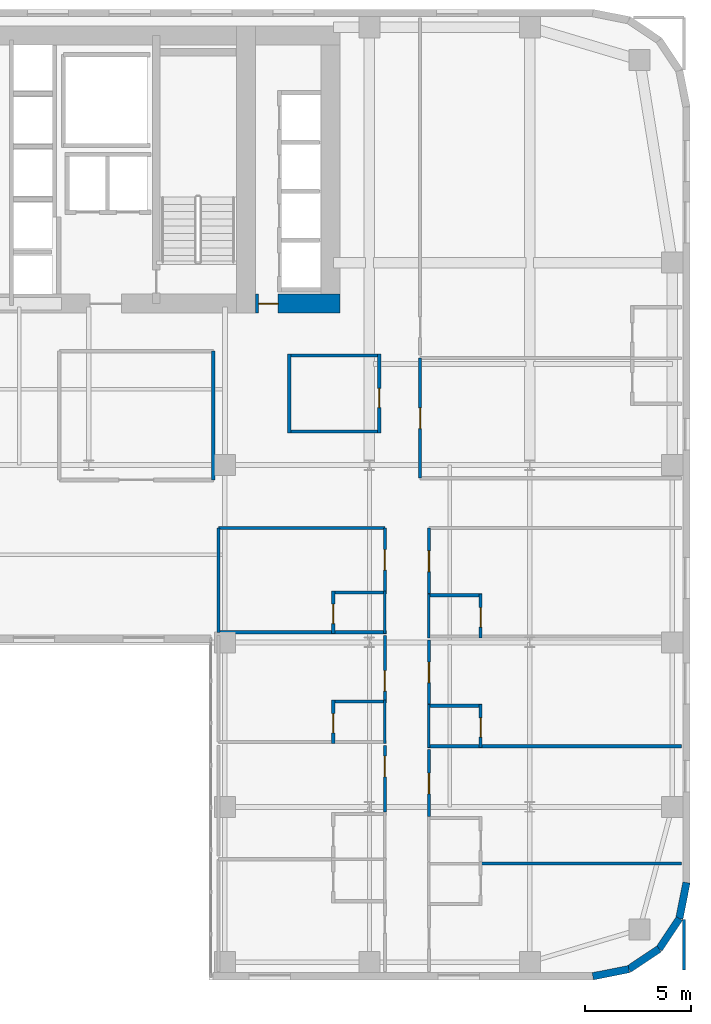
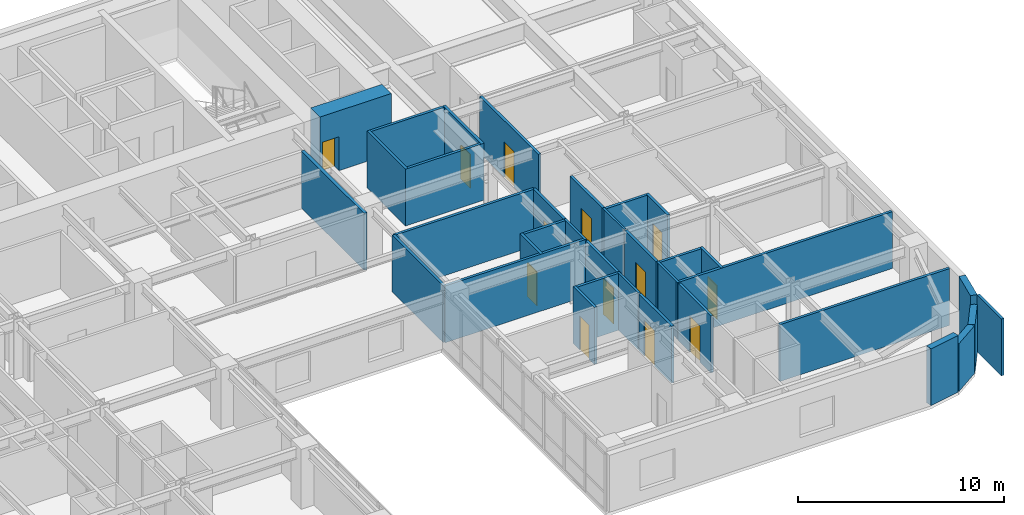
# One storey, part 26 of 30: 35 walls, 13 doors, 13 openings.
"""IFC4 building model written with IfcOpenShell, lengths in metres."""

from ifc_helpers import new_model, si_unit, direction, frame, frame_2d, origin, place, context, subcontext, project, spatial, rectangle, extrude, source, transform, mapped, material, layer, layer_set, type_object, type_shapes, element, fill, save


model = new_model("IFC4")

# Units and contexts
model_context = context("Model", 3, precision=1e-05, world=origin(), true_north=direction((0.0, 1.0)))
body_context = subcontext(model_context, "Body", "Model", "MODEL_VIEW")
ifc_project = project(units=[si_unit("LENGTHUNIT", "METRE"), si_unit("AREAUNIT", "SQUARE_METRE"), si_unit("VOLUMEUNIT", "CUBIC_METRE"), si_unit("PLANEANGLEUNIT", "RADIAN"), si_unit("MASSUNIT", "GRAM", prefix="KILO")], contexts=[model_context])

# Site, building, storey
site_placement = place(None, origin())
site = spatial("IfcSite", under=ifc_project, at=site_placement, CompositionType="ELEMENT")
building_placement = place(site_placement, origin())
building = spatial("IfcBuilding", under=site, at=building_placement, Name="Tolvann Quenvar Hotel", CompositionType="ELEMENT")
storey_placement = place(building_placement, frame((0.0, 0.0, 56.85009765625)))
storey = spatial("IfcBuildingStorey", under=building, at=storey_placement, Name="L13", CompositionType="ELEMENT", Elevation=56.85009765625)

# Wall, opening, door
ifc_material_1 = material(Name="Concrete S80 (80 MPa)", Category="concrete")
ifc_layer_1 = layer(ifc_material_1, 0.89990234375)
ifc_layer_set_1 = layer_set([ifc_layer_1], Name="Concrete S80 (80 MPa)")
wall_type_1 = type_object("IfcWallType", Name="WALL_CORE_900", PredefinedType="SHEAR", material=ifc_layer_set_1)
wall_1_placement = place(storey_placement, frame((36.39990234375, 32.050048828125, 0.0), z_axis=(0.0, 0.0, 1.0), x_axis=(1.0, 0.0, 0.0)))
wall_1 = element("IfcWall", 1, at=wall_1_placement, inside=storey, type_object=wall_type_1, Name="Core East Annex Shear Wall ANN-S (L13)", PredefinedType="SHEAR", context=body_context, shape_type="SweptSolid", body=[
    extrude(rectangle(XDim=4.0, YDim=0.89990234375, at=frame_2d((2.0, 0.0))), origin(), (0.0, 0.0, 1.0), 3.5498046875),
])
opening_1_placement = place(wall_1_placement, frame((1.06982421875, 0.0, 0.0), z_axis=(0.0, 0.0, 1.0), x_axis=(-1.0, 0.0, 0.0)))
opening_1 = element("IfcOpeningElement", 2, at=opening_1_placement, cuts=wall_1, Name="Opening WD-01", PredefinedType="OPENING", context=body_context, shape_type="SweptSolid", body=[
    extrude(rectangle(XDim=0.919921875, YDim=2.010009765625, at=frame_2d((0.4599609375, 1.0048828125))), frame((0.0, 0.4599609375, 0.0), z_axis=(0.0, -1.0, 0.0), x_axis=(1.0, 0.0, 0.0)), (0.0, 0.0, 1.0), 0.919921875),
])
ifc_material_2 = material(Name="Solid-core American oak acoustic fire door leaf in steel frame", Category="steel")
door_type_1 = type_object("IfcDoorType", Name="DOOR_WC_920", OperationType="NOTDEFINED", PredefinedType="DOOR", material=ifc_material_2)
shared_shape_1 = source(origin(), body_context, "Body", "SweptSolid", [
    extrude(rectangle(XDim=0.919921875, YDim=2.010009765625, at=frame_2d((0.4599609375, 1.0048828125))), frame((0.0, 0.02490234375, 0.0), z_axis=(0.0, -1.0, 0.0), x_axis=(1.0, 0.0, 0.0)), (0.0, 0.0, 1.0), 0.050048828125),
])
type_shapes(door_type_1, [shared_shape_1])
door_1_placement = place(opening_1_placement, origin())
door_1 = element("IfcDoor", 3, at=door_1_placement, inside=storey, type_object=door_type_1, Name="Low-Rise Lift Lobby Fire Door (L13)", OperationType="SINGLE_SWING_RIGHT", OverallHeight=2.010009765625, OverallWidth=0.919921875, PredefinedType="DOOR", context=body_context, shape_type="MappedRepresentation", body=[
    mapped(shared_shape_1, transform((0.0, 0.0, 0.0), x_axis=(1.0, 0.0, 0.0), y_axis=(0.0, 1.0, 0.0), z_axis=(0.0, 0.0, 1.0), scale=1.0)),
])
fill(opening_1, door_1)

# Walls
ifc_material_3 = material(Name="Kiln-fired red and buff architectural clay brickwork and terracotta masonry", Category="masonry")
ifc_layer_2 = layer(ifc_material_3, 0.35009765625)
ifc_layer_set_2 = layer_set([ifc_layer_2], Name="Kiln-fired red and buff architectural clay brickwork and terracotta masonry")
wall_type_2 = type_object("IfcWallType", Name="WALL_EXT_BRICK_350", PredefinedType="SOLIDWALL", material=ifc_layer_set_2)
wall_2_placement = place(storey_placement, frame((52.3828125, 0.175048828125, 0.0), z_axis=(0.0, 0.0, 1.0), x_axis=(0.980800971659, 0.195011420161, 0.0)))
element("IfcWall", 4, at=wall_2_placement, inside=storey, type_object=wall_type_2, Name="Exterior Chicago Brick Wall L13-E09", PredefinedType="SOLIDWALL", context=body_context, shape_type="SweptSolid", body=[
    extrude(rectangle(XDim=1.74267578125, YDim=0.35009765625, at=frame_2d((0.871337890625, 0.0))), origin(), (0.0, 0.0, 1.0), 3.369873046875),
])
for number, where, z_axis, x_axis, name in (
    (5, (54.092041015625, 0.514892578125, 0.0), (0.0, 0.0, 1.0), (0.831483840845, 0.55554893791, 0.0), "Exterior Chicago Brick Wall L13-E10"),
    (6, (55.526611328125, 1.473388671875, 0.0), (0.0, 0.0, 1.0), (0.55554893791, 0.831483840845, 0.0), "Exterior Chicago Brick Wall L13-E11"),
):
    element("IfcWall", number, at=place(storey_placement, frame(where, z_axis=z_axis, x_axis=x_axis)), inside=storey, type_object=wall_type_2, Name=name, PredefinedType="SOLIDWALL", context=body_context, shape_type="SweptSolid", body=[
        extrude(rectangle(XDim=1.725341796875, YDim=0.35009765625, at=frame_2d((0.86279296875, 0.0))), origin(), (0.0, 0.0, 1.0), 2.831787109375),
    ])
wall_3_placement = place(storey_placement, frame((56.485107421875, 2.907958984375, 0.0), z_axis=(0.0, 0.0, 1.0), x_axis=(0.195011420161, 0.980800971659, 0.0)))
element("IfcWall", 7, at=wall_3_placement, inside=storey, type_object=wall_type_2, Name="Exterior Chicago Brick Wall L13-E12", PredefinedType="SOLIDWALL", context=body_context, shape_type="SweptSolid", body=[
    extrude(rectangle(XDim=1.74267578125, YDim=0.35009765625, at=frame_2d((0.871337890625, 0.0))), origin(), (0.0, 0.0, 1.0), 3.369873046875),
])
ifc_material_4 = material(Name="Acoustic twin-stud fire-rated gypsum plasterboard partition")
ifc_layer_3 = layer(ifc_material_4, 0.179931640625)
ifc_layer_set_3 = layer_set([ifc_layer_3], Name="Acoustic twin-stud fire-rated gypsum plasterboard partition")
wall_type_3 = type_object("IfcWallType", Name="WALL_PART_ACOUSTIC_180", PredefinedType="PARTITIONING", material=ifc_layer_set_3)
wall_4_placement = place(storey_placement, frame((34.39990234375, 23.699951171875, 0.0), z_axis=(0.0, 0.0, 1.0), x_axis=(0.0, 1.0, 0.0)))
element("IfcWall", 8, at=wall_4_placement, inside=storey, type_object=wall_type_3, Name="Interior Partition PT-SPC-L13-MSP-C-E", PredefinedType="PARTITIONING", context=body_context, shape_type="SweptSolid", body=[
    extrude(rectangle(XDim=6.10009765625, YDim=0.179931640625, at=frame_2d((3.050048828125, 0.0))), origin(), (0.0, 0.0, 1.0), 3.369873046875),
])
ifc_material_5 = material(Name="Moisture-resistant acoustic plumbing wall assembly")
ifc_layer_4 = layer(ifc_material_5, 0.1201171875)
ifc_layer_set_4 = layer_set([ifc_layer_4], Name="Moisture-resistant acoustic plumbing wall assembly")
wall_type_4 = type_object("IfcWallType", Name="WALL_PART_BATH_120", PredefinedType="PLUMBINGWALL", material=ifc_layer_set_4)
wall_5_placement = place(storey_placement, frame((42.530029296875, 11.2099609375, 0.0), z_axis=(0.0, 0.0, 1.0), x_axis=(0.0, 1.0, 0.0)))
element("IfcWall", 9, at=wall_5_placement, inside=storey, type_object=wall_type_4, Name="Non-Rated Plumbing Partition PT-SPC-L13-ENS-EI03-E", PredefinedType="PLUMBINGWALL", context=body_context, shape_type="SweptSolid", body=[
    extrude(rectangle(XDim=2.054931640625, YDim=0.1201171875, at=frame_2d((1.02734375, 0.0))), origin(), (0.0, 0.0, 1.0), 3.369873046875),
])
wall_6_placement = place(storey_placement, frame((42.530029296875, 16.409912109375, 0.0), z_axis=(0.0, 0.0, 1.0), x_axis=(0.0, 1.0, 0.0)))
element("IfcWall", 10, at=wall_6_placement, inside=storey, type_object=wall_type_4, Name="Non-Rated Plumbing Partition PT-SPC-L13-ENS-EI04-E", PredefinedType="PLUMBINGWALL", context=body_context, shape_type="SweptSolid", body=[
    extrude(rectangle(XDim=2.01708984375, YDim=0.1201171875, at=frame_2d((1.008544921875, 0.0))), origin(), (0.0, 0.0, 1.0), 3.369873046875),
])
wall_7_placement = place(storey_placement, frame((44.6201171875, 11.010009765625, 0.0), z_axis=(0.0, 0.0, 1.0), x_axis=(0.0, 1.0, 0.0)))
element("IfcWall", 11, at=wall_7_placement, inside=storey, type_object=wall_type_4, Name="Non-Rated Plumbing Partition PT-SPC-L13-ENS-EO03-W", PredefinedType="PLUMBINGWALL", context=body_context, shape_type="SweptSolid", body=[
    extrude(rectangle(XDim=2.054931640625, YDim=0.1201171875, at=frame_2d((1.02734375, 0.0))), origin(), (0.0, 0.0, 1.0), 3.369873046875),
])
wall_8_placement = place(storey_placement, frame((44.6201171875, 16.2099609375, 0.0), z_axis=(0.0, 0.0, 1.0), x_axis=(0.0, 1.0, 0.0)))
element("IfcWall", 12, at=wall_8_placement, inside=storey, type_object=wall_type_4, Name="Non-Rated Plumbing Partition PT-SPC-L13-ENS-EO04-W", PredefinedType="PLUMBINGWALL", context=body_context, shape_type="SweptSolid", body=[
    extrude(rectangle(XDim=2.093017578125, YDim=0.1201171875, at=frame_2d((1.04638671875, 0.0))), origin(), (0.0, 0.0, 1.0), 3.369873046875),
])

# Wall, opening, door
ifc_layer_5 = layer(ifc_material_4, 0.14990234375)
ifc_layer_set_5 = layer_set([ifc_layer_5], Name="Acoustic twin-stud fire-rated gypsum plasterboard partition")
wall_type_5 = type_object("IfcWallType", Name="WALL_PART_SUITE_150", PredefinedType="PARTITIONING", material=ifc_layer_set_5)
wall_9_placement = place(storey_placement, frame((40.080078125, 11.2099609375, 0.0), z_axis=(0.0, 0.0, 1.0), x_axis=(0.0, 1.0, 0.0)))
wall_9 = element("IfcWall", 13, at=wall_9_placement, inside=storey, type_object=wall_type_5, Name="Interior Partition PT-SPC-L13-ENS-EI03-ENT", PredefinedType="PARTITIONING", context=body_context, shape_type="SweptSolid", body=[
    extrude(rectangle(XDim=2.054931640625, YDim=0.14990234375, at=frame_2d((1.02734375, 0.0))), origin(), (0.0, 0.0, 1.0), 3.369873046875),
])
opening_2_placement = place(wall_9_placement, frame((0.49755859375, 0.0, 0.0)))
opening_2 = element("IfcOpeningElement", 14, at=opening_2_placement, cuts=wall_9, Name="Opening WD-01", PredefinedType="OPENING", context=body_context, shape_type="SweptSolid", body=[
    extrude(rectangle(XDim=0.919921875, YDim=2.010009765625, at=frame_2d((0.4599609375, 1.0048828125))), frame((0.0, 0.0849609375, 0.0), z_axis=(0.0, -1.0, 0.0), x_axis=(1.0, 0.0, 0.0)), (0.0, 0.0, 1.0), 0.169921875),
])
door_2_placement = place(opening_2_placement, origin())
door_2 = element("IfcDoor", 15, at=door_2_placement, inside=storey, type_object=door_type_1, Name="Interior Door DOOR-SPC-L13-ENS-EI03", OperationType="SINGLE_SWING_LEFT", OverallHeight=2.010009765625, OverallWidth=0.919921875, PredefinedType="DOOR", context=body_context, shape_type="MappedRepresentation", body=[
    mapped(shared_shape_1, transform((0.0, 0.0, 0.0), x_axis=(1.0, 0.0, 0.0), y_axis=(0.0, 1.0, 0.0), z_axis=(0.0, 0.0, 1.0), scale=1.0)),
])
fill(opening_2, door_2)

# Wall
wall_10_placement = place(storey_placement, frame((40.010009765625, 13.195068359375, 0.0), z_axis=(0.0, 0.0, 1.0), x_axis=(1.0, 0.0, 0.0)))
element("IfcWall", 16, at=wall_10_placement, inside=storey, type_object=wall_type_5, Name="Interior Partition PT-SPC-L13-ENS-EI03-N", PredefinedType="PARTITIONING", context=body_context, shape_type="SweptSolid", body=[
    extrude(rectangle(XDim=2.590087890625, YDim=0.14990234375, at=frame_2d((1.294921875, 0.0))), origin(), (0.0, 0.0, 1.0), 3.369873046875),
])

# Wall, opening, door
wall_11_placement = place(storey_placement, frame((40.080078125, 16.409912109375, 0.0), z_axis=(0.0, 0.0, 1.0), x_axis=(0.0, 1.0, 0.0)))
wall_11 = element("IfcWall", 17, at=wall_11_placement, inside=storey, type_object=wall_type_5, Name="Interior Partition PT-SPC-L13-ENS-EI04-ENT", PredefinedType="PARTITIONING", context=body_context, shape_type="SweptSolid", body=[
    extrude(rectangle(XDim=2.01708984375, YDim=0.14990234375, at=frame_2d((1.008544921875, 0.0))), origin(), (0.0, 0.0, 1.0), 3.369873046875),
])
opening_3_placement = place(wall_11_placement, frame((0.478515625, 0.0, 0.0)))
opening_3 = element("IfcOpeningElement", 18, at=opening_3_placement, cuts=wall_11, Name="Opening WD-01", PredefinedType="OPENING", context=body_context, shape_type="SweptSolid", body=[
    extrude(rectangle(XDim=0.919921875, YDim=2.010009765625, at=frame_2d((0.4599609375, 1.0048828125))), frame((0.0, 0.0849609375, 0.0), z_axis=(0.0, -1.0, 0.0), x_axis=(1.0, 0.0, 0.0)), (0.0, 0.0, 1.0), 0.169921875),
])
door_3_placement = place(opening_3_placement, origin())
door_3 = element("IfcDoor", 19, at=door_3_placement, inside=storey, type_object=door_type_1, Name="Interior Door DOOR-SPC-L13-ENS-EI04", OperationType="SINGLE_SWING_RIGHT", OverallHeight=2.010009765625, OverallWidth=0.919921875, PredefinedType="DOOR", context=body_context, shape_type="MappedRepresentation", body=[
    mapped(shared_shape_1, transform((0.0, 0.0, 0.0), x_axis=(1.0, 0.0, 0.0), y_axis=(0.0, 1.0, 0.0), z_axis=(0.0, 0.0, 1.0), scale=1.0)),
])
fill(opening_3, door_3)

# Walls
wall_12_placement = place(storey_placement, frame((34.64990234375, 16.47998046875, 0.0), z_axis=(0.0, 0.0, 1.0), x_axis=(1.0, 0.0, 0.0)))
element("IfcWall", 20, at=wall_12_placement, inside=storey, type_object=wall_type_5, Name="Interior Partition PT-SPC-L13-ENS-EI04-S", PredefinedType="PARTITIONING", context=body_context, shape_type="SweptSolid", body=[
    extrude(rectangle(XDim=7.9501953125, YDim=0.14990234375, at=frame_2d((3.97509765625, 0.0))), origin(), (0.0, 0.0, 1.0), 3.369873046875),
])
wall_13_placement = place(storey_placement, frame((40.010009765625, 18.35693359375, 0.0), z_axis=(0.0, 0.0, 1.0), x_axis=(1.0, 0.0, 0.0)))
element("IfcWall", 21, at=wall_13_placement, inside=storey, type_object=wall_type_5, Name="Interior Partition PT-SPC-L13-ENS-EI04-N", PredefinedType="PARTITIONING", context=body_context, shape_type="SweptSolid", body=[
    extrude(rectangle(XDim=2.590087890625, YDim=0.14990234375, at=frame_2d((1.294921875, 0.0))), origin(), (0.0, 0.0, 1.0), 3.369873046875),
])

# Wall, opening, door
wall_14_placement = place(storey_placement, frame((47.070068359375, 11.010009765625, 0.0), z_axis=(0.0, 0.0, 1.0), x_axis=(0.0, 1.0, 0.0)))
wall_14 = element("IfcWall", 22, at=wall_14_placement, inside=storey, type_object=wall_type_5, Name="Interior Partition PT-SPC-L13-ENS-EO03-ENT", PredefinedType="PARTITIONING", context=body_context, shape_type="SweptSolid", body=[
    extrude(rectangle(XDim=2.054931640625, YDim=0.14990234375, at=frame_2d((1.02734375, 0.0))), origin(), (0.0, 0.0, 1.0), 3.369873046875),
])
opening_4_placement = place(wall_14_placement, frame((0.49755859375, 0.0, 0.0)))
opening_4 = element("IfcOpeningElement", 23, at=opening_4_placement, cuts=wall_14, Name="Opening WD-01", PredefinedType="OPENING", context=body_context, shape_type="SweptSolid", body=[
    extrude(rectangle(XDim=0.919921875, YDim=2.010009765625, at=frame_2d((0.4599609375, 1.0048828125))), frame((0.0, 0.0849609375, 0.0), z_axis=(0.0, -1.0, 0.0), x_axis=(1.0, 0.0, 0.0)), (0.0, 0.0, 1.0), 0.169921875),
])
door_4_placement = place(opening_4_placement, origin())
door_4 = element("IfcDoor", 24, at=door_4_placement, inside=storey, type_object=door_type_1, Name="Interior Door DOOR-SPC-L13-ENS-EO03", OperationType="SINGLE_SWING_LEFT", OverallHeight=2.010009765625, OverallWidth=0.919921875, PredefinedType="DOOR", context=body_context, shape_type="MappedRepresentation", body=[
    mapped(shared_shape_1, transform((0.0, 0.0, 0.0), x_axis=(1.0, 0.0, 0.0), y_axis=(0.0, 1.0, 0.0), z_axis=(0.0, 0.0, 1.0), scale=1.0)),
])
fill(opening_4, door_4)

# Walls
wall_15_placement = place(storey_placement, frame((44.550048828125, 11.080078125, 0.0), z_axis=(0.0, 0.0, 1.0), x_axis=(1.0, 0.0, 0.0)))
element("IfcWall", 25, at=wall_15_placement, inside=storey, type_object=wall_type_5, Name="Interior Partition PT-SPC-L13-ENS-EO03-S", PredefinedType="PARTITIONING", context=body_context, shape_type="SweptSolid", body=[
    extrude(rectangle(XDim=12.044921875, YDim=0.14990234375, at=frame_2d((6.0224609375, 0.0))), origin(), (0.0, 0.0, 1.0), 3.369873046875),
])
wall_16_placement = place(storey_placement, frame((44.550048828125, 12.9951171875, 0.0), z_axis=(0.0, 0.0, 1.0), x_axis=(1.0, 0.0, 0.0)))
element("IfcWall", 26, at=wall_16_placement, inside=storey, type_object=wall_type_5, Name="Interior Partition PT-SPC-L13-ENS-EO03-N", PredefinedType="PARTITIONING", context=body_context, shape_type="SweptSolid", body=[
    extrude(rectangle(XDim=2.58984375, YDim=0.14990234375, at=frame_2d((1.294921875, 0.0))), origin(), (0.0, 0.0, 1.0), 3.369873046875),
])

# Wall, opening, door
wall_17_placement = place(storey_placement, frame((47.070068359375, 16.2099609375, 0.0), z_axis=(0.0, 0.0, 1.0), x_axis=(0.0, 1.0, 0.0)))
wall_17 = element("IfcWall", 27, at=wall_17_placement, inside=storey, type_object=wall_type_5, Name="Interior Partition PT-SPC-L13-ENS-EO04-ENT", PredefinedType="PARTITIONING", context=body_context, shape_type="SweptSolid", body=[
    extrude(rectangle(XDim=2.093017578125, YDim=0.14990234375, at=frame_2d((1.04638671875, 0.0))), origin(), (0.0, 0.0, 1.0), 3.369873046875),
])
opening_5_placement = place(wall_17_placement, frame((0.5166015625, 0.0, 0.0)))
opening_5 = element("IfcOpeningElement", 28, at=opening_5_placement, cuts=wall_17, Name="Opening WD-01", PredefinedType="OPENING", context=body_context, shape_type="SweptSolid", body=[
    extrude(rectangle(XDim=0.919921875, YDim=2.010009765625, at=frame_2d((0.4599609375, 1.0048828125))), frame((0.0, 0.0849609375, 0.0), z_axis=(0.0, -1.0, 0.0), x_axis=(1.0, 0.0, 0.0)), (0.0, 0.0, 1.0), 0.169921875),
])
door_5_placement = place(opening_5_placement, origin())
door_5 = element("IfcDoor", 29, at=door_5_placement, inside=storey, type_object=door_type_1, Name="Interior Door DOOR-SPC-L13-ENS-EO04", OperationType="SINGLE_SWING_RIGHT", OverallHeight=2.010009765625, OverallWidth=0.919921875, PredefinedType="DOOR", context=body_context, shape_type="MappedRepresentation", body=[
    mapped(shared_shape_1, transform((0.0, 0.0, 0.0), x_axis=(1.0, 0.0, 0.0), y_axis=(0.0, 1.0, 0.0), z_axis=(0.0, 0.0, 1.0), scale=1.0)),
])
fill(opening_5, door_5)

# Wall
wall_18_placement = place(storey_placement, frame((44.550048828125, 18.23291015625, 0.0), z_axis=(0.0, 0.0, 1.0), x_axis=(1.0, 0.0, 0.0)))
element("IfcWall", 30, at=wall_18_placement, inside=storey, type_object=wall_type_5, Name="Interior Partition PT-SPC-L13-ENS-EO04-N", PredefinedType="PARTITIONING", context=body_context, shape_type="SweptSolid", body=[
    extrude(rectangle(XDim=2.58984375, YDim=0.14990234375, at=frame_2d((1.294921875, 0.0))), origin(), (0.0, 0.0, 1.0), 3.369873046875),
])

# Wall, opening, door
wall_19_placement = place(storey_placement, frame((42.530029296875, 7.950927734375, 0.0), z_axis=(0.0, 0.0, 1.0), x_axis=(0.0, 1.0, 0.0)))
wall_19 = element("IfcWall", 31, at=wall_19_placement, inside=storey, type_object=wall_type_5, Name="Interior Partition PT-SPC-L13-RM-EI02-ENT", PredefinedType="PARTITIONING", context=body_context, shape_type="SweptSolid", body=[
    extrude(rectangle(XDim=3.169189453125, YDim=0.14990234375, at=frame_2d((1.58447265625, 0.0))), origin(), (0.0, 0.0, 1.0), 3.369873046875),
])
opening_6_placement = place(wall_19_placement, frame((1.674560546875, 0.0, 0.0)))
opening_6 = element("IfcOpeningElement", 32, at=opening_6_placement, cuts=wall_19, Name="Opening SD-01", PredefinedType="OPENING", context=body_context, shape_type="SweptSolid", body=[
    extrude(rectangle(XDim=0.97998046875, YDim=2.1201171875, at=frame_2d((0.489990234375, 1.06005859375))), frame((0.0, 0.0849609375, 0.0), z_axis=(0.0, -1.0, 0.0), x_axis=(1.0, 0.0, 0.0)), (0.0, 0.0, 1.0), 0.169921875),
])
door_type_2 = type_object("IfcDoorType", Name="DOOR_SUITE_980", OperationType="NOTDEFINED", PredefinedType="DOOR", material=ifc_material_2)
shared_shape_2 = source(origin(), body_context, "Body", "SweptSolid", [
    extrude(rectangle(XDim=0.97998046875, YDim=2.1201171875, at=frame_2d((0.489990234375, 1.06005859375))), frame((0.0, 0.02490234375, 0.0), z_axis=(0.0, -1.0, 0.0), x_axis=(1.0, 0.0, 0.0)), (0.0, 0.0, 1.0), 0.050048828125),
])
type_shapes(door_type_2, [shared_shape_2])
door_6_placement = place(opening_6_placement, origin())
door_6 = element("IfcDoor", 33, at=door_6_placement, inside=storey, type_object=door_type_2, Name="Interior Door DOOR-SPC-L13-RM-EI02", OperationType="SINGLE_SWING_LEFT", OverallHeight=2.1201171875, OverallWidth=0.97998046875, PredefinedType="DOOR", context=body_context, shape_type="MappedRepresentation", body=[
    mapped(shared_shape_2, transform((0.0, 0.0, 0.0), x_axis=(1.0, 0.0, 0.0), y_axis=(0.0, 1.0, 0.0), z_axis=(0.0, 0.0, 1.0), scale=1.0)),
])
fill(opening_6, door_6)

wall_20_placement = place(storey_placement, frame((42.530029296875, 13.27490234375, 0.0), z_axis=(0.0, 0.0, 1.0), x_axis=(0.0, 1.0, 0.0)))
wall_20 = element("IfcWall", 34, at=wall_20_placement, inside=storey, type_object=wall_type_5, Name="Interior Partition PT-SPC-L13-RM-EI03-ENT", PredefinedType="PARTITIONING", context=body_context, shape_type="SweptSolid", body=[
    extrude(rectangle(XDim=3.045166015625, YDim=0.14990234375, at=frame_2d((1.5224609375, 0.0))), origin(), (0.0, 0.0, 1.0), 3.369873046875),
])
opening_7_placement = place(wall_20_placement, frame((0.41259765625, 0.0, 0.0)))
opening_7 = element("IfcOpeningElement", 35, at=opening_7_placement, cuts=wall_20, Name="Opening SD-01", PredefinedType="OPENING", context=body_context, shape_type="SweptSolid", body=[
    extrude(rectangle(XDim=0.97998046875, YDim=2.1201171875, at=frame_2d((0.489990234375, 1.06005859375))), frame((0.0, 0.0849609375, 0.0), z_axis=(0.0, -1.0, 0.0), x_axis=(1.0, 0.0, 0.0)), (0.0, 0.0, 1.0), 0.169921875),
])
door_7_placement = place(opening_7_placement, origin())
door_7 = element("IfcDoor", 36, at=door_7_placement, inside=storey, type_object=door_type_2, Name="Interior Door DOOR-SPC-L13-RM-EI03", OperationType="SINGLE_SWING_RIGHT", OverallHeight=2.1201171875, OverallWidth=0.97998046875, PredefinedType="DOOR", context=body_context, shape_type="MappedRepresentation", body=[
    mapped(shared_shape_2, transform((0.0, 0.0, 0.0), x_axis=(1.0, 0.0, 0.0), y_axis=(0.0, 1.0, 0.0), z_axis=(0.0, 0.0, 1.0), scale=1.0)),
])
fill(opening_7, door_7)

wall_21_placement = place(storey_placement, frame((42.530029296875, 18.43701171875, 0.0), z_axis=(0.0, 0.0, 1.0), x_axis=(0.0, 1.0, 0.0)))
wall_21 = element("IfcWall", 37, at=wall_21_placement, inside=storey, type_object=wall_type_5, Name="Interior Partition PT-SPC-L13-RM-EI04-ENT", PredefinedType="PARTITIONING", context=body_context, shape_type="SweptSolid", body=[
    extrude(rectangle(XDim=2.98291015625, YDim=0.14990234375, at=frame_2d((1.491455078125, 0.0))), origin(), (0.0, 0.0, 1.0), 3.369873046875),
])
opening_8_placement = place(wall_21_placement, frame((0.9814453125, 0.0, 0.0)))
opening_8 = element("IfcOpeningElement", 38, at=opening_8_placement, cuts=wall_21, Name="Opening SD-01", PredefinedType="OPENING", context=body_context, shape_type="SweptSolid", body=[
    extrude(rectangle(XDim=0.97998046875, YDim=2.1201171875, at=frame_2d((0.489990234375, 1.06005859375))), frame((0.0, 0.0849609375, 0.0), z_axis=(0.0, -1.0, 0.0), x_axis=(1.0, 0.0, 0.0)), (0.0, 0.0, 1.0), 0.169921875),
])
door_8_placement = place(opening_8_placement, origin())
door_8 = element("IfcDoor", 39, at=door_8_placement, inside=storey, type_object=door_type_2, Name="Interior Door DOOR-SPC-L13-RM-EI04", OperationType="SINGLE_SWING_LEFT", OverallHeight=2.1201171875, OverallWidth=0.97998046875, PredefinedType="DOOR", context=body_context, shape_type="MappedRepresentation", body=[
    mapped(shared_shape_2, transform((0.0, 0.0, 0.0), x_axis=(1.0, 0.0, 0.0), y_axis=(0.0, 1.0, 0.0), z_axis=(0.0, 0.0, 1.0), scale=1.0)),
])
fill(opening_8, door_8)

# Walls
wall_22_placement = place(storey_placement, frame((34.64990234375, 21.419921875, 0.0), z_axis=(0.0, 0.0, 1.0), x_axis=(1.0, 0.0, 0.0)))
element("IfcWall", 40, at=wall_22_placement, inside=storey, type_object=wall_type_5, Name="Interior Partition PT-SPC-L13-RM-EI04-E5", PredefinedType="PARTITIONING", context=body_context, shape_type="SweptSolid", body=[
    extrude(rectangle(XDim=7.880126953125, YDim=0.14990234375, at=frame_2d((3.93994140625, 0.0))), origin(), (0.0, 0.0, 1.0), 3.369873046875),
])
wall_23_placement = place(storey_placement, frame((34.64990234375, 16.47998046875, 0.0), z_axis=(0.0, 0.0, 1.0), x_axis=(0.0, 1.0, 0.0)))
element("IfcWall", 41, at=wall_23_placement, inside=storey, type_object=wall_type_5, Name="Interior Partition PT-SPC-L13-RM-EI04-E6", PredefinedType="PARTITIONING", context=body_context, shape_type="SweptSolid", body=[
    extrude(rectangle(XDim=4.93994140625, YDim=0.14990234375, at=frame_2d((2.469970703125, 0.0))), origin(), (0.0, 0.0, 1.0), 3.369873046875),
])
wall_24_placement = place(storey_placement, frame((56.699951171875, 0.47998046875, 0.0), z_axis=(0.0, 0.0, 1.0), x_axis=(0.0, 1.0, 0.0)))
element("IfcWall", 42, at=wall_24_placement, inside=storey, type_object=wall_type_5, Name="Interior Partition PT-SPC-L13-RM-EO01-E2", PredefinedType="PARTITIONING", context=body_context, shape_type="SweptSolid", body=[
    extrude(rectangle(XDim=2.385009765625, YDim=0.14990234375, at=frame_2d((1.1923828125, 0.0))), origin(), (0.0, 0.0, 1.0), 3.369873046875),
])
wall_25_placement = place(storey_placement, frame((47.090087890625, 5.52001953125, 0.0), z_axis=(0.0, 0.0, 1.0), x_axis=(1.0, 0.0, 0.0)))
element("IfcWall", 43, at=wall_25_placement, inside=storey, type_object=wall_type_5, Name="Interior Partition PT-SPC-L13-RM-EO01-E3", PredefinedType="PARTITIONING", context=body_context, shape_type="SweptSolid", body=[
    extrude(rectangle(XDim=9.5048828125, YDim=0.14990234375, at=frame_2d((4.75244140625, 0.0))), origin(), (0.0, 0.0, 1.0), 3.369873046875),
])

# Wall, opening, door
wall_26_placement = place(storey_placement, frame((44.6201171875, 7.7509765625, 0.0), z_axis=(0.0, 0.0, 1.0), x_axis=(0.0, 1.0, 0.0)))
wall_26 = element("IfcWall", 44, at=wall_26_placement, inside=storey, type_object=wall_type_5, Name="Interior Partition PT-SPC-L13-RM-EO02-ENT", PredefinedType="PARTITIONING", context=body_context, shape_type="SweptSolid", body=[
    extrude(rectangle(XDim=3.1689453125, YDim=0.14990234375, at=frame_2d((1.58447265625, 0.0))), origin(), (0.0, 0.0, 1.0), 3.369873046875),
])
opening_9_placement = place(wall_26_placement, frame((1.074462890625, 0.0, 0.0)))
opening_9 = element("IfcOpeningElement", 45, at=opening_9_placement, cuts=wall_26, Name="Opening SD-01", PredefinedType="OPENING", context=body_context, shape_type="SweptSolid", body=[
    extrude(rectangle(XDim=0.97998046875, YDim=2.1201171875, at=frame_2d((0.489990234375, 1.06005859375))), frame((0.0, 0.0849609375, 0.0), z_axis=(0.0, -1.0, 0.0), x_axis=(1.0, 0.0, 0.0)), (0.0, 0.0, 1.0), 0.169921875),
])
door_9_placement = place(opening_9_placement, origin())
door_9 = element("IfcDoor", 46, at=door_9_placement, inside=storey, type_object=door_type_2, Name="Interior Door DOOR-SPC-L13-RM-EO02", OperationType="SINGLE_SWING_LEFT", OverallHeight=2.1201171875, OverallWidth=0.97998046875, PredefinedType="DOOR", context=body_context, shape_type="MappedRepresentation", body=[
    mapped(shared_shape_2, transform((0.0, 0.0, 0.0), x_axis=(1.0, 0.0, 0.0), y_axis=(0.0, 1.0, 0.0), z_axis=(0.0, 0.0, 1.0), scale=1.0)),
])
fill(opening_9, door_9)

wall_27_placement = place(storey_placement, frame((44.6201171875, 13.074951171875, 0.0), z_axis=(0.0, 0.0, 1.0), x_axis=(0.0, 1.0, 0.0)))
wall_27 = element("IfcWall", 47, at=wall_27_placement, inside=storey, type_object=wall_type_5, Name="Interior Partition PT-SPC-L13-RM-EO03-ENT", PredefinedType="PARTITIONING", context=body_context, shape_type="SweptSolid", body=[
    extrude(rectangle(XDim=3.045166015625, YDim=0.14990234375, at=frame_2d((1.5224609375, 0.0))), origin(), (0.0, 0.0, 1.0), 3.369873046875),
])
opening_10_placement = place(wall_27_placement, frame((1.012451171875, 0.0, 0.0)))
opening_10 = element("IfcOpeningElement", 48, at=opening_10_placement, cuts=wall_27, Name="Opening SD-01", PredefinedType="OPENING", context=body_context, shape_type="SweptSolid", body=[
    extrude(rectangle(XDim=0.97998046875, YDim=2.1201171875, at=frame_2d((0.489990234375, 1.06005859375))), frame((0.0, 0.0849609375, 0.0), z_axis=(0.0, -1.0, 0.0), x_axis=(1.0, 0.0, 0.0)), (0.0, 0.0, 1.0), 0.169921875),
])
door_10_placement = place(opening_10_placement, origin())
door_10 = element("IfcDoor", 49, at=door_10_placement, inside=storey, type_object=door_type_2, Name="Interior Door DOOR-SPC-L13-RM-EO03", OperationType="SINGLE_SWING_RIGHT", OverallHeight=2.1201171875, OverallWidth=0.97998046875, PredefinedType="DOOR", context=body_context, shape_type="MappedRepresentation", body=[
    mapped(shared_shape_2, transform((0.0, 0.0, 0.0), x_axis=(1.0, 0.0, 0.0), y_axis=(0.0, 1.0, 0.0), z_axis=(0.0, 0.0, 1.0), scale=1.0)),
])
fill(opening_10, door_10)

wall_28_placement = place(storey_placement, frame((44.6201171875, 18.31298828125, 0.0), z_axis=(0.0, 0.0, 1.0), x_axis=(0.0, 1.0, 0.0)))
wall_28 = element("IfcWall", 50, at=wall_28_placement, inside=storey, type_object=wall_type_5, Name="Interior Partition PT-SPC-L13-RM-EO04-ENT", PredefinedType="PARTITIONING", context=body_context, shape_type="SweptSolid", body=[
    extrude(rectangle(XDim=3.10693359375, YDim=0.14990234375, at=frame_2d((1.553466796875, 0.0))), origin(), (0.0, 0.0, 1.0), 3.369873046875),
])
opening_11_placement = place(wall_28_placement, frame((1.04345703125, 0.0, 0.0)))
opening_11 = element("IfcOpeningElement", 51, at=opening_11_placement, cuts=wall_28, Name="Opening SD-01", PredefinedType="OPENING", context=body_context, shape_type="SweptSolid", body=[
    extrude(rectangle(XDim=0.97998046875, YDim=2.1201171875, at=frame_2d((0.489990234375, 1.06005859375))), frame((0.0, 0.0849609375, 0.0), z_axis=(0.0, -1.0, 0.0), x_axis=(1.0, 0.0, 0.0)), (0.0, 0.0, 1.0), 0.169921875),
])
door_11_placement = place(opening_11_placement, origin())
door_11 = element("IfcDoor", 52, at=door_11_placement, inside=storey, type_object=door_type_2, Name="Interior Door DOOR-SPC-L13-RM-EO04", OperationType="SINGLE_SWING_LEFT", OverallHeight=2.1201171875, OverallWidth=0.97998046875, PredefinedType="DOOR", context=body_context, shape_type="MappedRepresentation", body=[
    mapped(shared_shape_2, transform((0.0, 0.0, 0.0), x_axis=(1.0, 0.0, 0.0), y_axis=(0.0, 1.0, 0.0), z_axis=(0.0, 0.0, 1.0), scale=1.0)),
])
fill(opening_11, door_11)

wall_29_placement = place(storey_placement, frame((44.199951171875, 23.780029296875, 0.0), z_axis=(0.0, 0.0, 1.0), x_axis=(0.0, 1.0, 0.0)))
wall_29 = element("IfcWall", 53, at=wall_29_placement, inside=storey, type_object=wall_type_5, Name="Interior Partition PT-SPC-L13-RM-NE01-ENT", PredefinedType="PARTITIONING", context=body_context, shape_type="SweptSolid", body=[
    extrude(rectangle(XDim=5.68994140625, YDim=0.14990234375, at=frame_2d((2.844970703125, 0.0))), origin(), (0.0, 0.0, 1.0), 3.369873046875),
])
opening_12_placement = place(wall_29_placement, frame((2.35498046875, 0.0, 0.0)))
opening_12 = element("IfcOpeningElement", 54, at=opening_12_placement, cuts=wall_29, Name="Opening SD-01", PredefinedType="OPENING", context=body_context, shape_type="SweptSolid", body=[
    extrude(rectangle(XDim=0.97998046875, YDim=2.1201171875, at=frame_2d((0.489990234375, 1.06005859375))), frame((0.0, 0.0849609375, 0.0), z_axis=(0.0, -1.0, 0.0), x_axis=(1.0, 0.0, 0.0)), (0.0, 0.0, 1.0), 0.169921875),
])
door_12_placement = place(opening_12_placement, origin())
door_12 = element("IfcDoor", 55, at=door_12_placement, inside=storey, type_object=door_type_2, Name="Interior Door DOOR-SPC-L13-RM-NE01", OperationType="SINGLE_SWING_RIGHT", OverallHeight=2.1201171875, OverallWidth=0.97998046875, PredefinedType="DOOR", context=body_context, shape_type="MappedRepresentation", body=[
    mapped(shared_shape_2, transform((0.0, 0.0, 0.0), x_axis=(1.0, 0.0, 0.0), y_axis=(0.0, 1.0, 0.0), z_axis=(0.0, 0.0, 1.0), scale=1.0)),
])
fill(opening_12, door_12)

wall_30_placement = place(storey_placement, frame((42.260009765625, 25.929931640625, 0.0), z_axis=(0.0, 0.0, 1.0), x_axis=(0.0, 1.0, 0.0)))
wall_30 = element("IfcWall", 56, at=wall_30_placement, inside=storey, type_object=wall_type_5, Name="Interior Partition PT-SPC-L13-WCA-ENT", PredefinedType="PARTITIONING", context=body_context, shape_type="SweptSolid", body=[
    extrude(rectangle(XDim=3.739990234375, YDim=0.14990234375, at=frame_2d((1.8701171875, 0.0))), origin(), (0.0, 0.0, 1.0), 3.369873046875),
])
opening_13_placement = place(wall_30_placement, frame((1.18994140625, 0.0, 0.0)))
opening_13 = element("IfcOpeningElement", 57, at=opening_13_placement, cuts=wall_30, Name="Opening WD-01", PredefinedType="OPENING", context=body_context, shape_type="SweptSolid", body=[
    extrude(rectangle(XDim=0.919921875, YDim=2.010009765625, at=frame_2d((0.4599609375, 1.0048828125))), frame((0.0, 0.0849609375, 0.0), z_axis=(0.0, -1.0, 0.0), x_axis=(1.0, 0.0, 0.0)), (0.0, 0.0, 1.0), 0.169921875),
])
door_13_placement = place(opening_13_placement, origin())
door_13 = element("IfcDoor", 58, at=door_13_placement, inside=storey, type_object=door_type_1, Name="Interior Door DOOR-SPC-L13-WCA", OperationType="SINGLE_SWING_RIGHT", OverallHeight=2.010009765625, OverallWidth=0.919921875, PredefinedType="DOOR", context=body_context, shape_type="MappedRepresentation", body=[
    mapped(shared_shape_1, transform((0.0, 0.0, 0.0), x_axis=(1.0, 0.0, 0.0), y_axis=(0.0, 1.0, 0.0), z_axis=(0.0, 0.0, 1.0), scale=1.0)),
])
fill(opening_13, door_13)

# Walls
for number, where, z_axis, x_axis, name in (
    (59, (37.929931640625, 26.0, 0.0), (0.0, 0.0, 1.0), (1.0, 0.0, 0.0), "Interior Partition PT-SPC-L13-WCA-S"),
    (60, (37.929931640625, 29.60009765625, 0.0), (0.0, 0.0, 1.0), (1.0, 0.0, 0.0), "Interior Partition PT-SPC-L13-WCA-N"),
):
    element("IfcWall", number, at=place(storey_placement, frame(where, z_axis=z_axis, x_axis=x_axis)), inside=storey, type_object=wall_type_5, Name=name, PredefinedType="PARTITIONING", context=body_context, shape_type="SweptSolid", body=[
        extrude(rectangle(XDim=4.400146484375, YDim=0.14990234375, at=frame_2d((2.2001953125, 0.0))), origin(), (0.0, 0.0, 1.0), 3.369873046875),
    ])
wall_31_placement = place(storey_placement, frame((38.0, 25.929931640625, 0.0), z_axis=(0.0, 0.0, 1.0), x_axis=(0.0, 1.0, 0.0)))
element("IfcWall", 61, at=wall_31_placement, inside=storey, type_object=wall_type_5, Name="Interior Partition PT-SPC-L13-WCA-W", PredefinedType="PARTITIONING", context=body_context, shape_type="SweptSolid", body=[
    extrude(rectangle(XDim=3.739990234375, YDim=0.14990234375, at=frame_2d((1.8701171875, 0.0))), origin(), (0.0, 0.0, 1.0), 3.369873046875),
])

save(model, "model.ifc")
